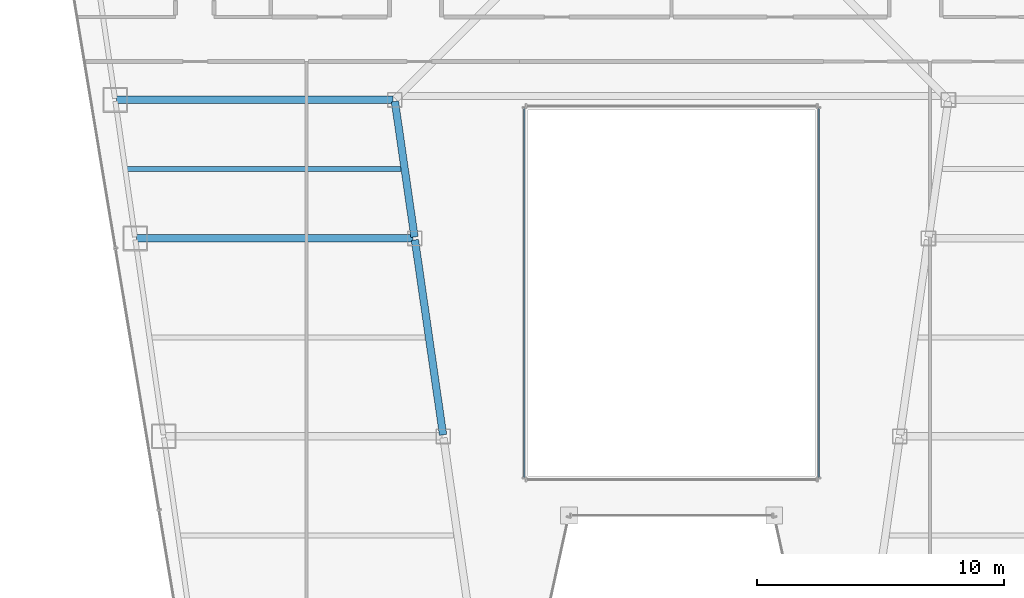
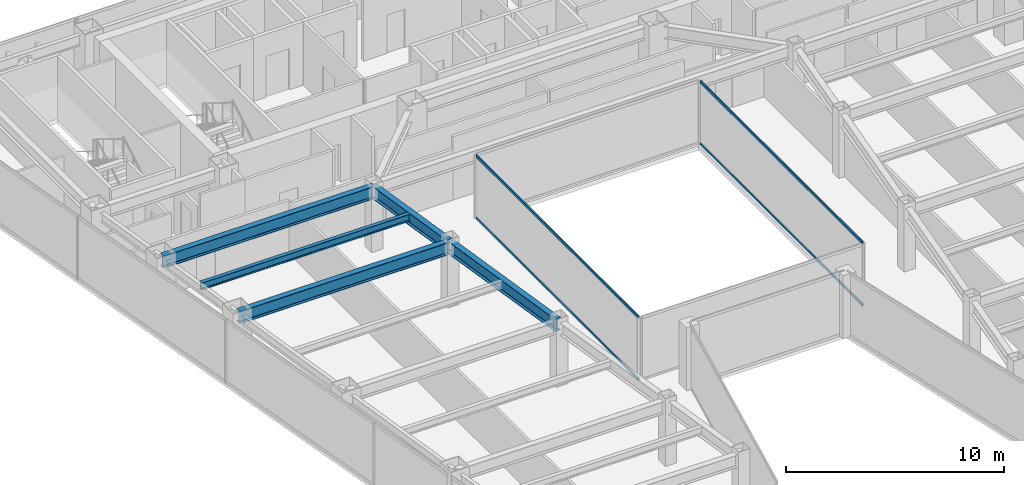
# One storey, part 10 of 37: 5 beams, 4 members, 2 elements without a shape of their own.
"""IFC4 building model written with IfcOpenShell, lengths in metres."""

from ifc_helpers import new_model, si_unit, direction, frame, origin, origin_2d, place, context, subcontext, project, spatial, hollow_rectangle, i_section, extrude, material, material_profile, profile_set, type_object, element, aggregate, save


model = new_model("IFC4")

# Units and contexts
model_context = context("Model", 3, precision=1e-05, world=origin(), true_north=direction((0.0, 1.0)))
body_context = subcontext(model_context, "Body", "Model", "MODEL_VIEW")
ifc_project = project(units=[si_unit("LENGTHUNIT", "METRE"), si_unit("AREAUNIT", "SQUARE_METRE"), si_unit("VOLUMEUNIT", "CUBIC_METRE"), si_unit("PLANEANGLEUNIT", "RADIAN"), si_unit("MASSUNIT", "GRAM", prefix="KILO")], contexts=[model_context])

# Site, building, storey
site_placement = place(None, origin())
site = spatial("IfcSite", under=ifc_project, at=site_placement, CompositionType="ELEMENT")
building_placement = place(site_placement, origin())
building = spatial("IfcBuilding", under=site, at=building_placement, Name="Saevonmaru Cultural Tower", CompositionType="ELEMENT")
storey_placement = place(building_placement, frame((0.0, 0.0, 141.0)))
storey = spatial("IfcBuildingStorey", under=building, at=storey_placement, Name="L30", CompositionType="ELEMENT", Elevation=141.0)

# Beams
ifc_material_1 = material(Name="Steel SM355", Category="steel")
ifc_material_profile_1 = material_profile(ifc_material_1, i_section(OverallWidth=0.300048828125, OverallDepth=0.699951171875, WebThickness=0.012939453125, FlangeThickness=0.02392578125, FilletRadius=0.02587890625, at=origin_2d()), Name="H-700x300x13x24")
ifc_profile_set_1 = profile_set([ifc_material_profile_1], Name="Steel SM355")
beam_type_1 = type_object("IfcBeamType", Name="BM-G-H700", PredefinedType="BEAM", material=ifc_profile_set_1)
beam_1_placement = place(storey_placement, frame((20.763427734375, 24.059326171875, 3.199951171875), z_axis=(-0.142902032203, 0.989736838353, 0.0), x_axis=(-0.989736838353, -0.142902032203, 0.0)))
element("IfcBeam", 1, at=beam_1_placement, inside=storey, type_object=beam_type_1, Name="L30 West Atrium Girder 3", PredefinedType="BEAM", context=body_context, shape_type="SweptSolid", body=[
    extrude(i_section(OverallWidth=0.300048828125, OverallDepth=0.699951171875, WebThickness=0.012939453125, FlangeThickness=0.02392578125, FilletRadius=0.02587890625, at=origin_2d()), origin(), (0.0, 0.0, 1.0), 7.963134765625),
])
beam_2_placement = place(storey_placement, frame((19.6083984375, 32.059326171875, 3.199951171875), z_axis=(-0.142964121327, 0.989727871697, 0.0), x_axis=(-0.989727871697, -0.142964121327, 0.0)))
element("IfcBeam", 2, at=beam_2_placement, inside=storey, type_object=beam_type_1, Name="L30 West Atrium Girder 4", PredefinedType="BEAM", context=body_context, shape_type="SweptSolid", body=[
    extrude(i_section(OverallWidth=0.300048828125, OverallDepth=0.699951171875, WebThickness=0.012939453125, FlangeThickness=0.02392578125, FilletRadius=0.02587890625, at=origin_2d()), origin(), (0.0, 0.0, 1.0), 5.5380859375),
])
for number, where, z_axis, x_axis, name in (
    (3, (8.376953125, 32.0, 3.199951171875), (1.0, 0.0, 0.0), (0.0, 1.0, 0.0), "L30 West Wing Transverse Girder 4"),
    (4, (7.568115234375, 37.60009765625, 3.199951171875), (1.0, 0.0, 0.0), (0.0, 1.0, 0.0), "L30 West Wing Transverse Girder 5"),
):
    element("IfcBeam", number, at=place(storey_placement, frame(where, z_axis=z_axis, x_axis=x_axis)), inside=storey, type_object=beam_type_1, Name=name, PredefinedType="BEAM", context=body_context, shape_type="SweptSolid", body=[
        extrude(i_section(OverallWidth=0.300048828125, OverallDepth=0.699951171875, WebThickness=0.012939453125, FlangeThickness=0.02392578125, FilletRadius=0.02587890625, at=origin_2d()), origin(), (0.0, 0.0, 1.0), 11.179931640625),
    ])
ifc_material_profile_2 = material_profile(ifc_material_1, i_section(OverallWidth=0.199951171875, OverallDepth=0.39990234375, WebThickness=0.008056640625, FlangeThickness=0.012939453125, FilletRadius=0.01611328125, at=origin_2d()), Name="H-400x200x8x13")
ifc_profile_set_2 = profile_set([ifc_material_profile_2], Name="Steel SM355")
beam_type_2 = type_object("IfcBeamType", Name="BM-J-H400", PredefinedType="JOIST", material=ifc_profile_set_2)
beam_3_placement = place(storey_placement, frame((7.972412109375, 34.800048828125, 3.35009765625), z_axis=(1.0, 0.0, 0.0), x_axis=(0.0, 1.0, 0.0)))
element("IfcBeam", 5, at=beam_3_placement, inside=storey, type_object=beam_type_2, Name="L30 West Wing Floor Joist 4", PredefinedType="JOIST", context=body_context, shape_type="SweptSolid", body=[
    extrude(i_section(OverallWidth=0.199951171875, OverallDepth=0.39990234375, WebThickness=0.008056640625, FlangeThickness=0.012939453125, FilletRadius=0.01611328125, at=origin_2d()), origin(), (0.0, 0.0, 1.0), 11.08203125),
])

# Curtain wall, members
ifc_material_2 = material(Name="Satin Bronze Anodised Aluminium", Category="aluminium")
curtain_wall_type = type_object("IfcCurtainWallType", Name="CW-ATR-GLZ", PredefinedType="NOTDEFINED", material=ifc_material_2)
curtain_wall_1_placement = place(storey_placement, origin())
curtain_wall_1 = element("IfcCurtainWall", 6, at=curtain_wall_1_placement, inside=storey, type_object=curtain_wall_type, Name="L30 Vertical Atrium Glazed Smoke Screen 2", PredefinedType="NOTDEFINED")
ifc_material_profile_3 = material_profile(ifc_material_2, hollow_rectangle(XDim=0.06494140625, YDim=0.14990234375, WallThickness=0.00390625, at=origin_2d()), Name="ALU-TRAN-150x65x4")
ifc_profile_set_3 = profile_set([ifc_material_profile_3], Name="Satin Bronze Anodised Aluminium")
member_type = type_object("IfcMemberType", Name="TR-CW-INT-150x65", PredefinedType="USERDEFINED", material=ifc_profile_set_3)
member_1_placement = place(storey_placement, frame((35.949951171875, 22.342529296875, 0.032470703125), z_axis=(0.0, 1.0, 0.0), x_axis=(-1.0, 0.0, 0.0)))
member_1 = element("IfcMember", 7, at=member_1_placement, type_object=member_type, Name="CW-ATR-L30-2 transom 1.1", ObjectType="TRANSOM", PredefinedType="USERDEFINED", context=body_context, shape_type="SweptSolid", body=[
    extrude(hollow_rectangle(XDim=0.06494140625, YDim=0.14990234375, WallThickness=0.00390625, at=origin_2d()), origin(), (0.0, 0.0, 1.0), 14.9150390625),
])
member_2_placement = place(storey_placement, frame((35.949951171875, 22.342529296875, 3.517578125), z_axis=(0.0, 1.0, 0.0), x_axis=(-1.0, 0.0, 0.0)))
member_2 = element("IfcMember", 8, at=member_2_placement, type_object=member_type, Name="CW-ATR-L30-2 transom 1.2", ObjectType="TRANSOM", PredefinedType="USERDEFINED", context=body_context, shape_type="SweptSolid", body=[
    extrude(hollow_rectangle(XDim=0.06494140625, YDim=0.14990234375, WallThickness=0.00390625, at=origin_2d()), origin(), (0.0, 0.0, 1.0), 14.9150390625),
])
aggregate(curtain_wall_1, [member_1, member_2])

curtain_wall_2_placement = place(storey_placement, origin())
curtain_wall_2 = element("IfcCurtainWall", 9, at=curtain_wall_2_placement, inside=storey, type_object=curtain_wall_type, Name="L30 Vertical Atrium Glazed Smoke Screen 4", PredefinedType="NOTDEFINED")
member_3_placement = place(storey_placement, frame((24.050048828125, 37.257568359375, 0.032470703125), z_axis=(0.0, -1.0, 0.0), x_axis=(1.0, 0.0, 0.0)))
member_3 = element("IfcMember", 10, at=member_3_placement, type_object=member_type, Name="CW-ATR-L30-4 transom 1.1", ObjectType="TRANSOM", PredefinedType="USERDEFINED", context=body_context, shape_type="SweptSolid", body=[
    extrude(hollow_rectangle(XDim=0.06494140625, YDim=0.14990234375, WallThickness=0.00390625, at=origin_2d()), origin(), (0.0, 0.0, 1.0), 14.9150390625),
])
member_4_placement = place(storey_placement, frame((24.050048828125, 37.257568359375, 3.517578125), z_axis=(0.0, -1.0, 0.0), x_axis=(1.0, 0.0, 0.0)))
member_4 = element("IfcMember", 11, at=member_4_placement, type_object=member_type, Name="CW-ATR-L30-4 transom 1.2", ObjectType="TRANSOM", PredefinedType="USERDEFINED", context=body_context, shape_type="SweptSolid", body=[
    extrude(hollow_rectangle(XDim=0.06494140625, YDim=0.14990234375, WallThickness=0.00390625, at=origin_2d()), origin(), (0.0, 0.0, 1.0), 14.9150390625),
])
aggregate(curtain_wall_2, [member_3, member_4])

save(model, "model.ifc")
